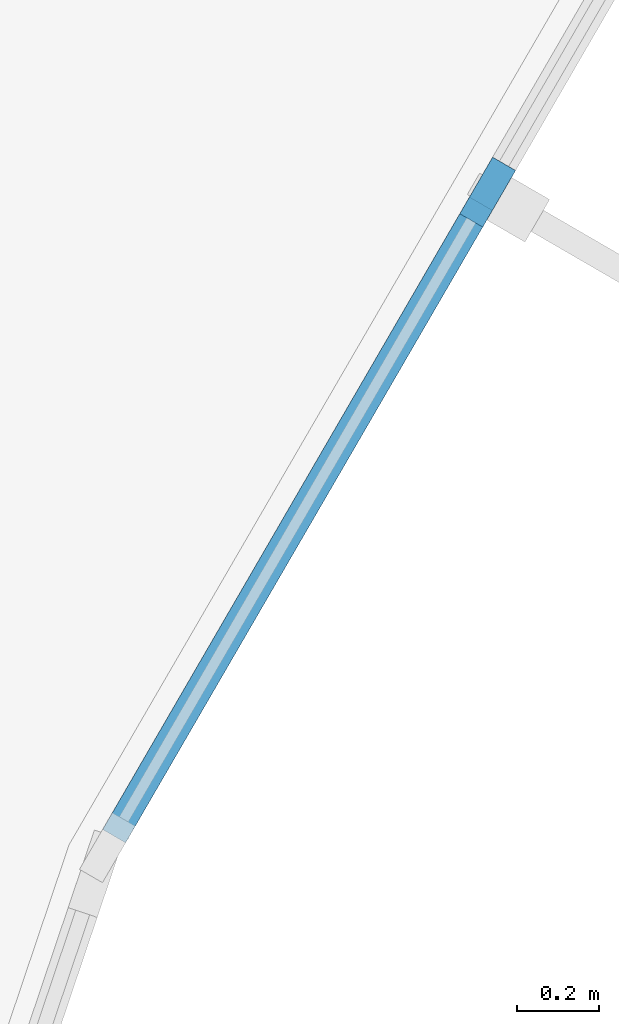
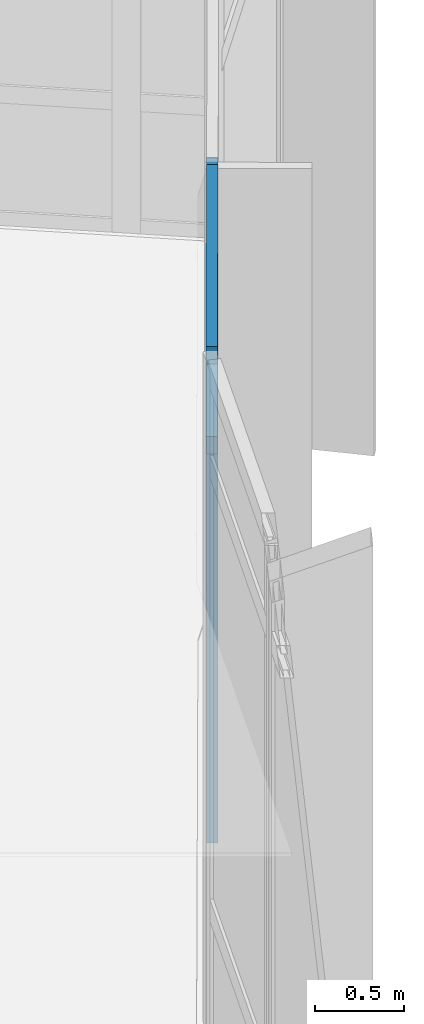
# One storey, part 11 of 92: 3 members, 1 element without a shape of its own.
"""IFC4 building model written with IfcOpenShell, lengths in metres."""

from ifc_helpers import new_model, si_unit, direction, frame, origin, origin_2d, place, context, subcontext, project, spatial, rectangle, extrude, material, layer, layer_set, material_profile, profile_set, type_object, element, aggregate, save


model = new_model("IFC4")

# Units and contexts
model_context = context("Model", 3, precision=1e-05, world=origin(), true_north=direction((0.0, 1.0)))
body_context = subcontext(model_context, "Body", "Model", "MODEL_VIEW")
ifc_project = project(units=[si_unit("LENGTHUNIT", "METRE"), si_unit("AREAUNIT", "SQUARE_METRE"), si_unit("VOLUMEUNIT", "CUBIC_METRE"), si_unit("PLANEANGLEUNIT", "RADIAN"), si_unit("MASSUNIT", "GRAM", prefix="KILO")], contexts=[model_context])

# Site, building, storey
site_placement = place(None, origin())
site = spatial("IfcSite", under=ifc_project, at=site_placement, CompositionType="ELEMENT")
building_placement = place(site_placement, origin())
building = spatial("IfcBuilding", under=site, at=building_placement, Name="Namkhue Oval Health Centre", CompositionType="ELEMENT")
storey_placement = place(building_placement, frame((0.0, 0.0, 4.800048828125)))
storey = spatial("IfcBuildingStorey", under=building, at=storey_placement, Name="L01", CompositionType="ELEMENT", Elevation=4.800048828125)

# Curtain wall, members
ifc_material = material(Name="Anodised aluminium EN AW-6063 T6", Category="aluminium")
ifc_layer = layer(ifc_material, 0.159912109375)
ifc_layer_set = layer_set([ifc_layer], Name="Anodised aluminium EN AW-6063 T6")
curtain_wall_type = type_object("IfcCurtainWallType", Name="UNITISED CURTAIN WALL M1800", PredefinedType="NOTDEFINED", material=ifc_layer_set)
curtain_wall_placement = place(storey_placement, origin())
curtain_wall = element("IfcCurtainWall", 1, at=curtain_wall_placement, inside=storey, type_object=curtain_wall_type, Name="Volume V1 L01 Unitised Curtain Wall 29", PredefinedType="NOTDEFINED")
ifc_material_profile_1 = material_profile(ifc_material, rectangle(XDim=0.06494140625, YDim=0.159912109375, at=origin_2d()), Name="ALU 65x160")
ifc_profile_set_1 = profile_set([ifc_material_profile_1], Name="Anodised aluminium EN AW-6063 T6")
member_type_1 = type_object("IfcMemberType", Name="CURTAIN WALL MULLION 65X160", PredefinedType="MULLION", material=ifc_profile_set_1)
member_1_placement = place(storey_placement, frame((68.08349609375, 67.929931640625, 0.0), z_axis=(0.0, 0.0, 1.0), x_axis=(-0.865008156752, 0.501757798896, 0.0)))
member_1 = element("IfcMember", 2, at=member_1_placement, type_object=member_type_1, Name="CW-05 mullion 2", PredefinedType="MULLION", context=body_context, shape_type="SweptSolid", body=[
    extrude(rectangle(XDim=0.06494140625, YDim=0.159912109375, at=origin_2d()), origin(), (0.0, 0.0, 1.0), 4.599853515625),
])
ifc_material_profile_2 = material_profile(ifc_material, rectangle(XDim=0.06494140625, YDim=0.1201171875, at=origin_2d()), Name="ALU 65x120")
ifc_profile_set_2 = profile_set([ifc_material_profile_2], Name="Anodised aluminium EN AW-6063 T6")
member_type_2 = type_object("IfcMemberType", Name="CURTAIN WALL TRANSOM 65X120", PredefinedType="USERDEFINED", material=ifc_profile_set_2)
member_2_placement = place(storey_placement, frame((67.170654296875, 66.356201171875, 3.949951171875), z_axis=(0.501720134578, 0.865030003271, 0.0), x_axis=(-0.865030003271, 0.501720134578, 0.0)))
member_2 = element("IfcMember", 3, at=member_2_placement, type_object=member_type_2, Name="CW-05 transom 1.3", ObjectType="TRANSOM", PredefinedType="USERDEFINED", context=body_context, shape_type="SweptSolid", body=[
    extrude(rectangle(XDim=0.06494140625, YDim=0.1201171875, at=origin_2d()), origin(), (0.0, 0.0, 1.0), 1.786865234375),
])
member_3_placement = place(storey_placement, frame((67.170654296875, 66.356201171875, 4.5673828125), z_axis=(0.501720134578, 0.865030003271, 0.0), x_axis=(-0.865030003271, 0.501720134578, 0.0)))
member_3 = element("IfcMember", 4, at=member_3_placement, type_object=member_type_2, Name="CW-05 transom 1.4", ObjectType="TRANSOM", PredefinedType="USERDEFINED", context=body_context, shape_type="SweptSolid", body=[
    extrude(rectangle(XDim=0.06494140625, YDim=0.1201171875, at=origin_2d()), origin(), (0.0, 0.0, 1.0), 1.786865234375),
])
aggregate(curtain_wall, [member_1, member_2, member_3])

save(model, "model.ifc")
